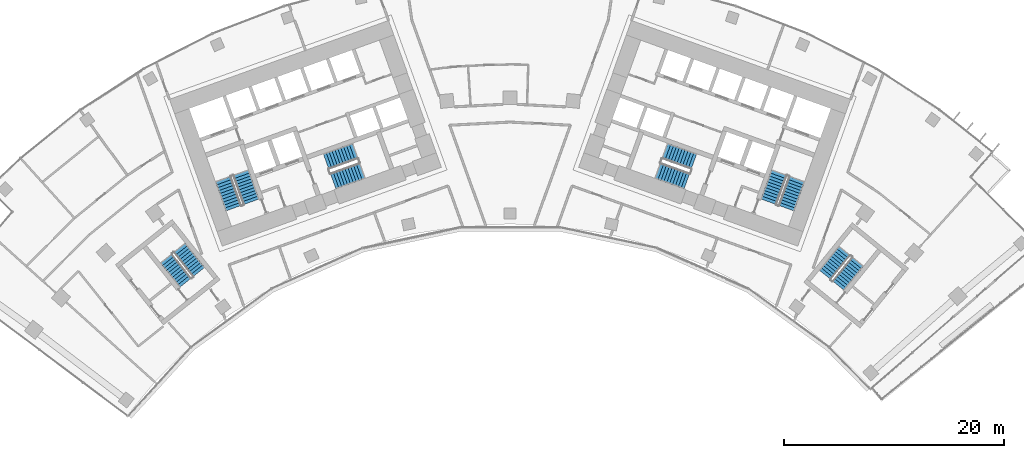
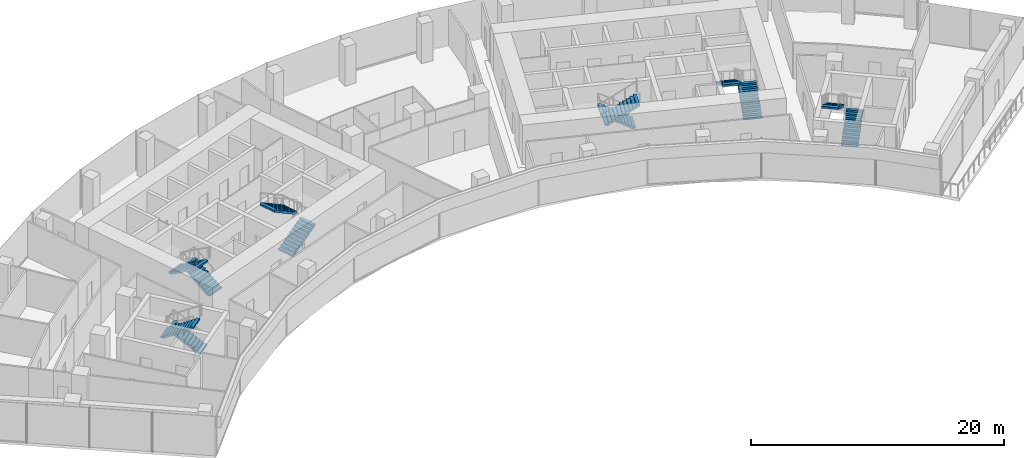
# One storey, part 18 of 20: 12 stair flights, 6 elements without a shape of their own.
"""IFC4 building model written with IfcOpenShell, lengths in metres."""

import ifcopenshell
import ifcopenshell.guid

model = None  # the IFC model being written
_history = None  # IfcOwnerHistory: only IFC2X3 demands one
_inside = {}  # id of a spatial element -> (the spatial element, [elements in it])
_under = {}  # id of a project, library or spatial element -> (it, [spatial elements below it])
_declared = {}  # id of a project -> (the project, [libraries it declares])
_typed = {}  # id of a type object -> (the type object, [elements of that type])
_made_of = {}  # id of a material, layer set ... -> (it, [elements and type objects made of it])


def new_model(schema):
    """Start an empty IFC model of exactly this schema.

    Asked for "IFC4X3", IfcOpenShell would pick the latest addendum, in which some entities
    have other attributes; the version numbers below select the first issue.
    IFC2X3 requires an IfcOwnerHistory on every rooted entity: one is made here for all.
    """
    global model, _history
    if schema == "IFC4X3":
        model = ifcopenshell.file(schema_version=(4, 3, 0, 0))
    else:
        model = ifcopenshell.file(schema=schema)
    _inside.clear()
    _under.clear()
    _declared.clear()
    _typed.clear()
    _made_of.clear()
    _history = None
    if model.schema == "IFC2X3":
        org = make("IfcOrganization", Name="unknown")
        user = make(
            "IfcPersonAndOrganization",
            ThePerson=make("IfcPerson", FamilyName="unknown"),
            TheOrganization=org,
        )
        app = make(
            "IfcApplication",
            ApplicationDeveloper=org,
            Version="unknown",
            ApplicationFullName="unknown",
            ApplicationIdentifier="unknown",
        )
        _history = make(
            "IfcOwnerHistory",
            OwningUser=user,
            OwningApplication=app,
            ChangeAction="ADDED",
            CreationDate=0,
        )
    return model


def make(cls, **values):
    """One entity of the class cls with the attributes given. An attribute that is None is left unset."""
    return model.create_entity(
        cls, **{name: value for name, value in values.items() if value is not None}
    )


def rooted(cls, **values):
    """An entity with a GlobalId (a new one), such as an element, a storey or a relation."""
    return make(cls, GlobalId=ifcopenshell.guid.new(), OwnerHistory=_history, **values)


def si_unit(unit_type, name, prefix=None):
    """IfcSIUnit, for example si_unit("LENGTHUNIT", "METRE", prefix="MILLI")."""
    return make("IfcSIUnit", UnitType=unit_type, Prefix=prefix, Name=name)


def assignment(units):
    """IfcUnitAssignment: the units of a project."""
    return None if units is None else make("IfcUnitAssignment", Units=units)


def point(xyz):
    """IfcCartesianPoint."""
    return None if xyz is None else make("IfcCartesianPoint", Coordinates=xyz)


def direction(xyz):
    """IfcDirection."""
    return None if xyz is None else make("IfcDirection", DirectionRatios=xyz)


def frame(location, z_axis=None, x_axis=None):
    """IfcAxis2Placement3D, a coordinate frame: its origin and axes. An axis left out is left unset."""
    return make(
        "IfcAxis2Placement3D",
        Location=point(location),
        Axis=direction(z_axis),
        RefDirection=direction(x_axis),
    )


def origin():
    """The frame at (0, 0, 0) with its axes left unset."""
    return frame((0.0, 0.0, 0.0))


def place(relative_to, where):
    """IfcLocalPlacement: puts the frame where relative to a parent placement (None: the world)."""
    return make(
        "IfcLocalPlacement", PlacementRelTo=relative_to, RelativePlacement=where
    )


def context(
    kind, dimensions, precision=None, world=None, true_north=None, identifier=None
):
    """IfcGeometricRepresentationContext, for example the 3D "Model" context."""
    return make(
        "IfcGeometricRepresentationContext",
        ContextIdentifier=identifier,
        ContextType=kind,
        CoordinateSpaceDimension=dimensions,
        Precision=precision,
        WorldCoordinateSystem=world,
        TrueNorth=true_north,
    )


def subcontext(parent, identifier, kind, view, scale=None):
    """IfcGeometricRepresentationSubContext, for example "Body" below "Model"."""
    return make(
        "IfcGeometricRepresentationSubContext",
        ContextIdentifier=identifier,
        ContextType=kind,
        ParentContext=parent,
        TargetScale=scale,
        TargetView=view,
    )


def project(units=None, contexts=None):
    """IfcProject with its units and contexts."""
    return rooted(
        "IfcProject",
        Name="project",
        RepresentationContexts=contexts,
        UnitsInContext=assignment(units),
    )


def spatial(cls, under=None, at=None, **own):
    """A site, building, storey or space (cls), placed at a placement, below another one or the project."""
    s = rooted(cls, ObjectPlacement=at, **own)
    if under is not None:
        _under.setdefault(under.id(), (under, []))[1].append(s)
    return s


def polyline(points):
    """IfcPolyline through the points."""
    return make("IfcPolyline", Points=[point(p) for p in points])


def outline(outer, holes=None, kind="AREA"):
    """IfcArbitraryClosedProfileDef: a profile drawn as a closed curve; with holes, ...WithVoids."""
    if holes is None:
        return make("IfcArbitraryClosedProfileDef", ProfileType=kind, OuterCurve=outer)
    return make(
        "IfcArbitraryProfileDefWithVoids",
        ProfileType=kind,
        OuterCurve=outer,
        InnerCurves=holes,
    )


def extrude(swept, where, along, depth):
    """IfcExtrudedAreaSolid: the profile swept, set in the frame where, extruded along a direction by depth."""
    return make(
        "IfcExtrudedAreaSolid",
        SweptArea=swept,
        Position=where,
        ExtrudedDirection=direction(along),
        Depth=depth,
    )


def shape(context_of_items, identifier, shape_type, items):
    """IfcShapeRepresentation: the items that make up one representation, for example the "Body"."""
    return make(
        "IfcShapeRepresentation",
        ContextOfItems=context_of_items,
        RepresentationIdentifier=identifier,
        RepresentationType=shape_type,
        Items=items,
    )


def material(Name=None, Category=None):
    """IfcMaterial."""
    return make("IfcMaterial", Name=Name, Category=Category)


def made_of(thing, what):
    """Note that an element or type object is made of a material, layer set ...; save() writes the relation."""
    if what is not None:
        _made_of.setdefault(what.id(), (what, []))[1].append(thing)
    return thing


def type_object(cls, material=None, **own):
    """A type object (cls), such as IfcWallType, which elements share."""
    return made_of(rooted(cls, **own), material)


def element(
    cls,
    number,
    at=None,
    inside=None,
    cuts=None,
    type_object=None,
    material=None,
    context=None,
    identifier="Body",
    shape_type=None,
    held_by="IfcProductDefinitionShape",
    body=None,
    shapes=None,
    **own,
):
    """One element of the class cls, such as IfcWall. Its Tag is "e" and its number.

    at: its placement. inside: the storey or other place that contains it. cuts: it is an
    opening in that element (IfcRelVoidsElement). A single representation is given by context,
    identifier, shape_type and body (its items); several are given by shapes. held_by: the class
    of the entity that holds the representations. save() writes the other relations.
    """
    e = rooted(cls, Tag="e%d" % number, ObjectPlacement=at, **own)
    if body is not None:
        shapes = [shape(context, identifier, shape_type, body)]
    if shapes is not None:
        e.Representation = make(held_by, Representations=shapes)
    if inside is not None:
        _inside.setdefault(inside.id(), (inside, []))[1].append(e)
    if cuts is not None:
        rooted(
            "IfcRelVoidsElement", RelatingBuildingElement=cuts, RelatedOpeningElement=e
        )
    if type_object is not None:
        _typed.setdefault(type_object.id(), (type_object, []))[1].append(e)
    return made_of(e, material)


def aggregate(whole, parts):
    """IfcRelAggregates: a whole, such as a stair, and the parts it consists of."""
    return rooted("IfcRelAggregates", RelatingObject=whole, RelatedObjects=parts)


def save(model, path):
    """Write the relations noted so far, then the file.

    IfcRelAggregates (storeys below a building ...), IfcRelContainedInSpatialStructure (elements
    in a storey), IfcRelDefinesByType, IfcRelAssociatesMaterial and IfcRelDeclares: one each for
    every whole, place, type object, material and project.
    """
    for whole, parts in _under.values():
        aggregate(whole, parts)
    for where, things in _inside.values():
        rooted(
            "IfcRelContainedInSpatialStructure",
            RelatedElements=things,
            RelatingStructure=where,
        )
    for kind, things in _typed.values():
        rooted("IfcRelDefinesByType", RelatedObjects=things, RelatingType=kind)
    for what, things in _made_of.values():
        rooted("IfcRelAssociatesMaterial", RelatedObjects=things, RelatingMaterial=what)
    for by, libraries in _declared.values():
        rooted("IfcRelDeclares", RelatingContext=by, RelatedDefinitions=libraries)
    model.write(path)


model = new_model("IFC4")

# Units and contexts
model_context = context("Model", 3, precision=1e-05, world=origin(), true_north=direction((0.0, 1.0)))
body_context = subcontext(model_context, "Body", "Model", "MODEL_VIEW")
ifc_project = project(units=[si_unit("LENGTHUNIT", "METRE"), si_unit("AREAUNIT", "SQUARE_METRE"), si_unit("VOLUMEUNIT", "CUBIC_METRE"), si_unit("PLANEANGLEUNIT", "RADIAN"), si_unit("MASSUNIT", "GRAM", prefix="KILO")], contexts=[model_context])

# Site, building, storey
site_placement = place(None, origin())
site = spatial("IfcSite", under=ifc_project, at=site_placement, CompositionType="ELEMENT")
building_placement = place(site_placement, origin())
building = spatial("IfcBuilding", under=site, at=building_placement, Name="Stone Belt Terrace Tower", CompositionType="ELEMENT")
storey_placement = place(building_placement, frame((0.0, 0.0, 170.60009765625)))
storey = spatial("IfcBuildingStorey", under=building, at=storey_placement, Name="L41", CompositionType="ELEMENT", Elevation=170.60009765625)

# Stair, stair flights
ifc_material = material(Name="Concrete B40", Category="concrete")
stair_type = type_object("IfcStairType", Name="Exit stair 1500", PredefinedType="HALF_TURN_STAIR", material=ifc_material)
stair_1_placement = place(storey_placement, origin())
stair_1 = element("IfcStair", 1, at=stair_1_placement, inside=storey, type_object=stair_type, Name="L41 Exit stair 1 core A", PredefinedType="HALF_TURN_STAIR")
stair_flight_type = type_object("IfcStairFlightType", Name="Stair flight 1500", PredefinedType="STRAIGHT", material=ifc_material)
stair_flight_1_placement = place(storey_placement, frame((-23.55322265625, 45.51318359375, 0.0), z_axis=(0.0, 0.0, 1.0), x_axis=(-0.338624396177, 0.940921632398, 0.0)))
stair_flight_1 = element("IfcStairFlight", 2, at=stair_flight_1_placement, type_object=stair_flight_type, Name="ST1A flight 1", NumberOfRisers=11, NumberOfTreads=10, PredefinedType="STRAIGHT", RiserHeight=0.172727273, TreadLength=0.28, context=body_context, shape_type="SweptSolid", body=[
    extrude(outline(polyline([(0.0, 0.0), (0.0, 0.172607421875), (0.280029296875, 0.172607421875), (0.280029296875, 0.345458984375), (0.56005859375, 0.345458984375), (0.56005859375, 0.51806640625), (0.840087890625, 0.51806640625), (0.840087890625, 0.69091796875), (1.1201171875, 0.69091796875), (1.1201171875, 0.863525390625), (1.39990234375, 0.863525390625), (1.39990234375, 1.036376953125), (1.679931640625, 1.036376953125), (1.679931640625, 1.208984375), (1.9599609375, 1.208984375), (1.9599609375, 1.3818359375), (2.239990234375, 1.3818359375), (2.239990234375, 1.554443359375), (2.52001953125, 1.554443359375), (2.52001953125, 1.727294921875), (2.800048828125, 1.727294921875), (2.800048828125, 1.89990234375), (2.800048828125, 1.551025390625), (0.285400390625, 0.0), (0.0, 0.0)])), frame((0.0, 0.75, 0.0), z_axis=(0.0, -1.0, 0.0), x_axis=(1.0, 0.0, 0.0)), (0.0, 0.0, 1.0), 1.5),
])
stair_flight_2_placement = place(storey_placement, frame((-26.10107421875, 47.572021484375, 1.89990234375), z_axis=(0.0, 0.0, 1.0), x_axis=(0.338624396177, -0.940921632398, 0.0)))
stair_flight_2 = element("IfcStairFlight", 3, at=stair_flight_2_placement, type_object=stair_flight_type, Name="ST1A flight 2", NumberOfRisers=11, NumberOfTreads=10, PredefinedType="STRAIGHT", RiserHeight=0.172727273, TreadLength=0.28, context=body_context, shape_type="SweptSolid", body=[
    extrude(outline(polyline([(0.0, 0.0), (0.0, 0.172607421875), (0.280029296875, 0.172607421875), (0.280029296875, 0.345458984375), (0.56005859375, 0.345458984375), (0.56005859375, 0.51806640625), (0.840087890625, 0.51806640625), (0.840087890625, 0.69091796875), (1.1201171875, 0.69091796875), (1.1201171875, 0.863525390625), (1.39990234375, 0.863525390625), (1.39990234375, 1.036376953125), (1.679931640625, 1.036376953125), (1.679931640625, 1.208984375), (1.9599609375, 1.208984375), (1.9599609375, 1.3818359375), (2.239990234375, 1.3818359375), (2.239990234375, 1.554443359375), (2.52001953125, 1.554443359375), (2.52001953125, 1.727294921875), (2.800048828125, 1.727294921875), (2.800048828125, 1.89990234375), (2.800048828125, 1.551025390625), (0.285400390625, 0.0), (0.0, 0.0)])), frame((0.0, 0.75, 0.0), z_axis=(0.0, -1.0, 0.0), x_axis=(1.0, 0.0, 0.0)), (0.0, 0.0, 1.0), 1.5),
])
aggregate(stair_1, [stair_flight_1, stair_flight_2])

stair_2_placement = place(storey_placement, origin())
stair_2 = element("IfcStair", 4, at=stair_2_placement, inside=storey, type_object=stair_type, Name="L41 Exit stair 2 core A", PredefinedType="HALF_TURN_STAIR")
stair_flight_3_placement = place(storey_placement, frame((-16.101318359375, 47.39794921875, 0.0), z_axis=(0.0, 0.0, 1.0), x_axis=(0.940921632398, 0.338624396177, 0.0)))
stair_flight_3 = element("IfcStairFlight", 5, at=stair_flight_3_placement, type_object=stair_flight_type, Name="ST2A flight 1", NumberOfRisers=11, NumberOfTreads=10, PredefinedType="STRAIGHT", RiserHeight=0.172727273, TreadLength=0.28, context=body_context, shape_type="SweptSolid", body=[
    extrude(outline(polyline([(0.0, 0.0), (0.0, 0.172607421875), (0.280029296875, 0.172607421875), (0.280029296875, 0.345458984375), (0.56005859375, 0.345458984375), (0.56005859375, 0.51806640625), (0.840087890625, 0.51806640625), (0.840087890625, 0.69091796875), (1.1201171875, 0.69091796875), (1.1201171875, 0.863525390625), (1.39990234375, 0.863525390625), (1.39990234375, 1.036376953125), (1.679931640625, 1.036376953125), (1.679931640625, 1.208984375), (1.9599609375, 1.208984375), (1.9599609375, 1.3818359375), (2.239990234375, 1.3818359375), (2.239990234375, 1.554443359375), (2.52001953125, 1.554443359375), (2.52001953125, 1.727294921875), (2.800048828125, 1.727294921875), (2.800048828125, 1.89990234375), (2.800048828125, 1.551025390625), (0.285400390625, 0.0), (0.0, 0.0)])), frame((0.0, 0.75, 0.0), z_axis=(0.0, -1.0, 0.0), x_axis=(1.0, 0.0, 0.0)), (0.0, 0.0, 1.0), 1.5),
])
stair_flight_4_placement = place(storey_placement, frame((-14.110107421875, 50.1337890625, 1.89990234375), z_axis=(0.0, 0.0, 1.0), x_axis=(-0.940921632398, -0.338624396177, 0.0)))
stair_flight_4 = element("IfcStairFlight", 6, at=stair_flight_4_placement, type_object=stair_flight_type, Name="ST2A flight 2", NumberOfRisers=11, NumberOfTreads=10, PredefinedType="STRAIGHT", RiserHeight=0.172727273, TreadLength=0.28, context=body_context, shape_type="SweptSolid", body=[
    extrude(outline(polyline([(0.0, 0.0), (0.0, 0.172607421875), (0.280029296875, 0.172607421875), (0.280029296875, 0.345458984375), (0.56005859375, 0.345458984375), (0.56005859375, 0.51806640625), (0.840087890625, 0.51806640625), (0.840087890625, 0.69091796875), (1.1201171875, 0.69091796875), (1.1201171875, 0.863525390625), (1.39990234375, 0.863525390625), (1.39990234375, 1.036376953125), (1.679931640625, 1.036376953125), (1.679931640625, 1.208984375), (1.9599609375, 1.208984375), (1.9599609375, 1.3818359375), (2.239990234375, 1.3818359375), (2.239990234375, 1.554443359375), (2.52001953125, 1.554443359375), (2.52001953125, 1.727294921875), (2.800048828125, 1.727294921875), (2.800048828125, 1.89990234375), (2.800048828125, 1.551025390625), (0.285400390625, 0.0), (0.0, 0.0)])), frame((0.0, 0.75, 0.0), z_axis=(0.0, -1.0, 0.0), x_axis=(1.0, 0.0, 0.0)), (0.0, 0.0, 1.0), 1.5),
])
aggregate(stair_2, [stair_flight_3, stair_flight_4])

stair_3_placement = place(storey_placement, origin())
stair_3 = element("IfcStair", 7, at=stair_3_placement, inside=storey, type_object=stair_type, Name="L41 Exit stair 1 core B", PredefinedType="HALF_TURN_STAIR")
stair_flight_5_placement = place(storey_placement, frame((25.15283203125, 44.9375, 0.0), z_axis=(0.0, 0.0, 1.0), x_axis=(0.338624396177, 0.940921632398, 0.0)))
stair_flight_5 = element("IfcStairFlight", 8, at=stair_flight_5_placement, type_object=stair_flight_type, Name="ST1B flight 1", NumberOfRisers=11, NumberOfTreads=10, PredefinedType="STRAIGHT", RiserHeight=0.172727273, TreadLength=0.28, context=body_context, shape_type="SweptSolid", body=[
    extrude(outline(polyline([(0.0, 0.0), (0.0, 0.172607421875), (0.280029296875, 0.172607421875), (0.280029296875, 0.345458984375), (0.56005859375, 0.345458984375), (0.56005859375, 0.51806640625), (0.840087890625, 0.51806640625), (0.840087890625, 0.69091796875), (1.1201171875, 0.69091796875), (1.1201171875, 0.863525390625), (1.39990234375, 0.863525390625), (1.39990234375, 1.036376953125), (1.679931640625, 1.036376953125), (1.679931640625, 1.208984375), (1.9599609375, 1.208984375), (1.9599609375, 1.3818359375), (2.239990234375, 1.3818359375), (2.239990234375, 1.554443359375), (2.52001953125, 1.554443359375), (2.52001953125, 1.727294921875), (2.800048828125, 1.727294921875), (2.800048828125, 1.89990234375), (2.800048828125, 1.551025390625), (0.285400390625, 0.0), (0.0, 0.0)])), frame((0.0, 0.75, 0.0), z_axis=(0.0, -1.0, 0.0), x_axis=(1.0, 0.0, 0.0)), (0.0, 0.0, 1.0), 1.5),
])
stair_flight_6_placement = place(storey_placement, frame((24.50146484375, 48.147705078125, 1.89990234375), z_axis=(0.0, 0.0, 1.0), x_axis=(-0.338624396177, -0.940921632398, 0.0)))
stair_flight_6 = element("IfcStairFlight", 9, at=stair_flight_6_placement, type_object=stair_flight_type, Name="ST1B flight 2", NumberOfRisers=11, NumberOfTreads=10, PredefinedType="STRAIGHT", RiserHeight=0.172727273, TreadLength=0.28, context=body_context, shape_type="SweptSolid", body=[
    extrude(outline(polyline([(0.0, 0.0), (0.0, 0.172607421875), (0.280029296875, 0.172607421875), (0.280029296875, 0.345458984375), (0.56005859375, 0.345458984375), (0.56005859375, 0.51806640625), (0.840087890625, 0.51806640625), (0.840087890625, 0.69091796875), (1.1201171875, 0.69091796875), (1.1201171875, 0.863525390625), (1.39990234375, 0.863525390625), (1.39990234375, 1.036376953125), (1.679931640625, 1.036376953125), (1.679931640625, 1.208984375), (1.9599609375, 1.208984375), (1.9599609375, 1.3818359375), (2.239990234375, 1.3818359375), (2.239990234375, 1.554443359375), (2.52001953125, 1.554443359375), (2.52001953125, 1.727294921875), (2.800048828125, 1.727294921875), (2.800048828125, 1.89990234375), (2.800048828125, 1.551025390625), (0.285400390625, 0.0), (0.0, 0.0)])), frame((0.0, 0.75, 0.0), z_axis=(0.0, -1.0, 0.0), x_axis=(1.0, 0.0, 0.0)), (0.0, 0.0, 1.0), 1.5),
])
aggregate(stair_3, [stair_flight_5, stair_flight_6])

stair_4_placement = place(storey_placement, origin())
stair_4 = element("IfcStair", 10, at=stair_4_placement, inside=storey, type_object=stair_type, Name="L41 Exit stair 2 core B", PredefinedType="HALF_TURN_STAIR")
stair_flight_7_placement = place(storey_placement, frame((16.74462890625, 49.185546875, 0.0), z_axis=(0.0, 0.0, 1.0), x_axis=(-0.940921632398, 0.338624396177, 0.0)))
stair_flight_7 = element("IfcStairFlight", 11, at=stair_flight_7_placement, type_object=stair_flight_type, Name="ST2B flight 1", NumberOfRisers=11, NumberOfTreads=10, PredefinedType="STRAIGHT", RiserHeight=0.172727273, TreadLength=0.28, context=body_context, shape_type="SweptSolid", body=[
    extrude(outline(polyline([(0.0, 0.0), (0.0, 0.172607421875), (0.280029296875, 0.172607421875), (0.280029296875, 0.345458984375), (0.56005859375, 0.345458984375), (0.56005859375, 0.51806640625), (0.840087890625, 0.51806640625), (0.840087890625, 0.69091796875), (1.1201171875, 0.69091796875), (1.1201171875, 0.863525390625), (1.39990234375, 0.863525390625), (1.39990234375, 1.036376953125), (1.679931640625, 1.036376953125), (1.679931640625, 1.208984375), (1.9599609375, 1.208984375), (1.9599609375, 1.3818359375), (2.239990234375, 1.3818359375), (2.239990234375, 1.554443359375), (2.52001953125, 1.554443359375), (2.52001953125, 1.727294921875), (2.800048828125, 1.727294921875), (2.800048828125, 1.89990234375), (2.800048828125, 1.551025390625), (0.285400390625, 0.0), (0.0, 0.0)])), frame((0.0, 0.75, 0.0), z_axis=(0.0, -1.0, 0.0), x_axis=(1.0, 0.0, 0.0)), (0.0, 0.0, 1.0), 1.5),
])
stair_flight_8_placement = place(storey_placement, frame((13.466796875, 48.345947265625, 1.89990234375), z_axis=(0.0, 0.0, 1.0), x_axis=(0.940921632398, -0.338624396177, 0.0)))
stair_flight_8 = element("IfcStairFlight", 12, at=stair_flight_8_placement, type_object=stair_flight_type, Name="ST2B flight 2", NumberOfRisers=11, NumberOfTreads=10, PredefinedType="STRAIGHT", RiserHeight=0.172727273, TreadLength=0.28, context=body_context, shape_type="SweptSolid", body=[
    extrude(outline(polyline([(0.0, 0.0), (0.0, 0.172607421875), (0.280029296875, 0.172607421875), (0.280029296875, 0.345458984375), (0.56005859375, 0.345458984375), (0.56005859375, 0.51806640625), (0.840087890625, 0.51806640625), (0.840087890625, 0.69091796875), (1.1201171875, 0.69091796875), (1.1201171875, 0.863525390625), (1.39990234375, 0.863525390625), (1.39990234375, 1.036376953125), (1.679931640625, 1.036376953125), (1.679931640625, 1.208984375), (1.9599609375, 1.208984375), (1.9599609375, 1.3818359375), (2.239990234375, 1.3818359375), (2.239990234375, 1.554443359375), (2.52001953125, 1.554443359375), (2.52001953125, 1.727294921875), (2.800048828125, 1.727294921875), (2.800048828125, 1.89990234375), (2.800048828125, 1.551025390625), (0.285400390625, 0.0), (0.0, 0.0)])), frame((0.0, 0.75, 0.0), z_axis=(0.0, -1.0, 0.0), x_axis=(1.0, 0.0, 0.0)), (0.0, 0.0, 1.0), 1.5),
])
aggregate(stair_4, [stair_flight_7, stair_flight_8])

stair_5_placement = place(storey_placement, origin())
stair_5 = element("IfcStair", 13, at=stair_5_placement, inside=storey, type_object=stair_type, Name="L41 Exit stair 3A", PredefinedType="HALF_TURN_STAIR")
stair_flight_9_placement = place(storey_placement, frame((-28.325439453125, 39.1240234375, 0.0), z_axis=(0.0, 0.0, 1.0), x_axis=(-0.623121363691, 0.782125160132, 0.0)))
stair_flight_9 = element("IfcStairFlight", 14, at=stair_flight_9_placement, type_object=stair_flight_type, Name="ST3A flight 1", NumberOfRisers=11, NumberOfTreads=10, PredefinedType="STRAIGHT", RiserHeight=0.172727273, TreadLength=0.28, context=body_context, shape_type="SweptSolid", body=[
    extrude(outline(polyline([(0.0, 0.0), (0.0, 0.172607421875), (0.280029296875, 0.172607421875), (0.280029296875, 0.345458984375), (0.56005859375, 0.345458984375), (0.56005859375, 0.51806640625), (0.840087890625, 0.51806640625), (0.840087890625, 0.69091796875), (1.1201171875, 0.69091796875), (1.1201171875, 0.863525390625), (1.39990234375, 0.863525390625), (1.39990234375, 1.036376953125), (1.679931640625, 1.036376953125), (1.679931640625, 1.208984375), (1.9599609375, 1.208984375), (1.9599609375, 1.3818359375), (2.239990234375, 1.3818359375), (2.239990234375, 1.554443359375), (2.52001953125, 1.554443359375), (2.52001953125, 1.727294921875), (2.800048828125, 1.727294921875), (2.800048828125, 1.89990234375), (2.800048828125, 1.551025390625), (0.285400390625, 0.0), (0.0, 0.0)])), frame((0.0, 0.675048828125, 0.0), z_axis=(0.0, -1.0, 0.0), x_axis=(1.0, 0.0, 0.0)), (0.0, 0.0, 1.0), 1.35009765625),
])
stair_flight_10_placement = place(storey_placement, frame((-31.282470703125, 40.34814453125, 1.89990234375), z_axis=(0.0, 0.0, 1.0), x_axis=(0.623121363691, -0.782125160132, 0.0)))
stair_flight_10 = element("IfcStairFlight", 15, at=stair_flight_10_placement, type_object=stair_flight_type, Name="ST3A flight 2", NumberOfRisers=11, NumberOfTreads=10, PredefinedType="STRAIGHT", RiserHeight=0.172727273, TreadLength=0.28, context=body_context, shape_type="SweptSolid", body=[
    extrude(outline(polyline([(0.0, 0.0), (0.0, 0.172607421875), (0.280029296875, 0.172607421875), (0.280029296875, 0.345458984375), (0.56005859375, 0.345458984375), (0.56005859375, 0.51806640625), (0.840087890625, 0.51806640625), (0.840087890625, 0.69091796875), (1.1201171875, 0.69091796875), (1.1201171875, 0.863525390625), (1.39990234375, 0.863525390625), (1.39990234375, 1.036376953125), (1.679931640625, 1.036376953125), (1.679931640625, 1.208984375), (1.9599609375, 1.208984375), (1.9599609375, 1.3818359375), (2.239990234375, 1.3818359375), (2.239990234375, 1.554443359375), (2.52001953125, 1.554443359375), (2.52001953125, 1.727294921875), (2.800048828125, 1.727294921875), (2.800048828125, 1.89990234375), (2.800048828125, 1.551025390625), (0.285400390625, 0.0), (0.0, 0.0)])), frame((0.0, 0.675048828125, 0.0), z_axis=(0.0, -1.0, 0.0), x_axis=(1.0, 0.0, 0.0)), (0.0, 0.0, 1.0), 1.35009765625),
])
aggregate(stair_5, [stair_flight_9, stair_flight_10])

stair_6_placement = place(storey_placement, origin())
stair_6 = element("IfcStair", 16, at=stair_6_placement, inside=storey, type_object=stair_type, Name="L41 Exit stair 3B", PredefinedType="HALF_TURN_STAIR")
stair_flight_11_placement = place(storey_placement, frame((29.88330078125, 37.887939453125, 0.0), z_axis=(0.0, 0.0, 1.0), x_axis=(0.630205749599, 0.776428176441, 0.0)))
stair_flight_11 = element("IfcStairFlight", 17, at=stair_flight_11_placement, type_object=stair_flight_type, Name="ST3B flight 1", NumberOfRisers=11, NumberOfTreads=10, PredefinedType="STRAIGHT", RiserHeight=0.172727273, TreadLength=0.28, context=body_context, shape_type="SweptSolid", body=[
    extrude(outline(polyline([(0.0, 0.0), (0.0, 0.172607421875), (0.280029296875, 0.172607421875), (0.280029296875, 0.345458984375), (0.56005859375, 0.345458984375), (0.56005859375, 0.51806640625), (0.840087890625, 0.51806640625), (0.840087890625, 0.69091796875), (1.1201171875, 0.69091796875), (1.1201171875, 0.863525390625), (1.39990234375, 0.863525390625), (1.39990234375, 1.036376953125), (1.679931640625, 1.036376953125), (1.679931640625, 1.208984375), (1.9599609375, 1.208984375), (1.9599609375, 1.3818359375), (2.239990234375, 1.3818359375), (2.239990234375, 1.554443359375), (2.52001953125, 1.554443359375), (2.52001953125, 1.727294921875), (2.800048828125, 1.727294921875), (2.800048828125, 1.89990234375), (2.800048828125, 1.551025390625), (0.285400390625, 0.0), (0.0, 0.0)])), frame((0.0, 0.675048828125, 0.0), z_axis=(0.0, -1.0, 0.0), x_axis=(1.0, 0.0, 0.0)), (0.0, 0.0, 1.0), 1.35009765625),
])
stair_flight_12_placement = place(storey_placement, frame((30.4443359375, 41.038818359375, 1.89990234375), z_axis=(0.0, 0.0, 1.0), x_axis=(-0.630205749599, -0.776428176441, 0.0)))
stair_flight_12 = element("IfcStairFlight", 18, at=stair_flight_12_placement, type_object=stair_flight_type, Name="ST3B flight 2", NumberOfRisers=11, NumberOfTreads=10, PredefinedType="STRAIGHT", RiserHeight=0.172727273, TreadLength=0.28, context=body_context, shape_type="SweptSolid", body=[
    extrude(outline(polyline([(0.0, 0.0), (0.0, 0.172607421875), (0.280029296875, 0.172607421875), (0.280029296875, 0.345458984375), (0.56005859375, 0.345458984375), (0.56005859375, 0.51806640625), (0.840087890625, 0.51806640625), (0.840087890625, 0.69091796875), (1.1201171875, 0.69091796875), (1.1201171875, 0.863525390625), (1.39990234375, 0.863525390625), (1.39990234375, 1.036376953125), (1.679931640625, 1.036376953125), (1.679931640625, 1.208984375), (1.9599609375, 1.208984375), (1.9599609375, 1.3818359375), (2.239990234375, 1.3818359375), (2.239990234375, 1.554443359375), (2.52001953125, 1.554443359375), (2.52001953125, 1.727294921875), (2.800048828125, 1.727294921875), (2.800048828125, 1.89990234375), (2.800048828125, 1.551025390625), (0.285400390625, 0.0), (0.0, 0.0)])), frame((0.0, 0.675048828125, 0.0), z_axis=(0.0, -1.0, 0.0), x_axis=(1.0, 0.0, 0.0)), (0.0, 0.0, 1.0), 1.35009765625),
])
aggregate(stair_6, [stair_flight_11, stair_flight_12])

save(model, "model.ifc")
